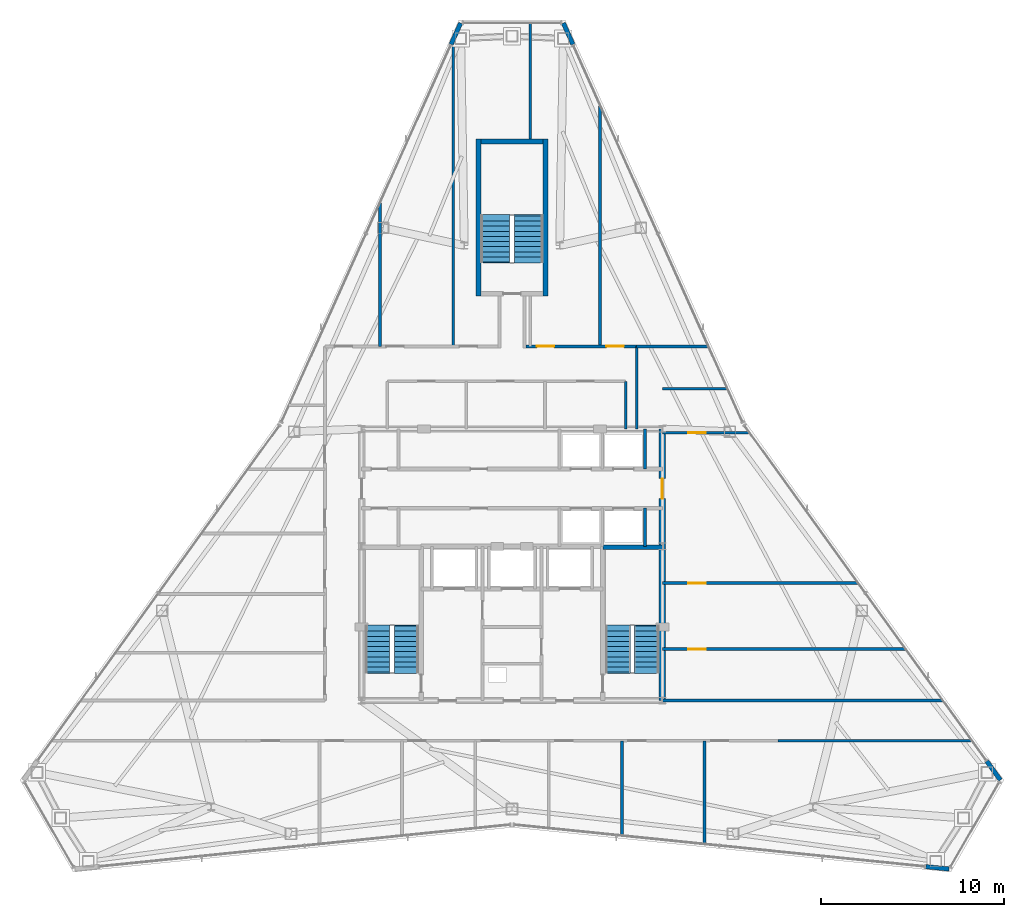
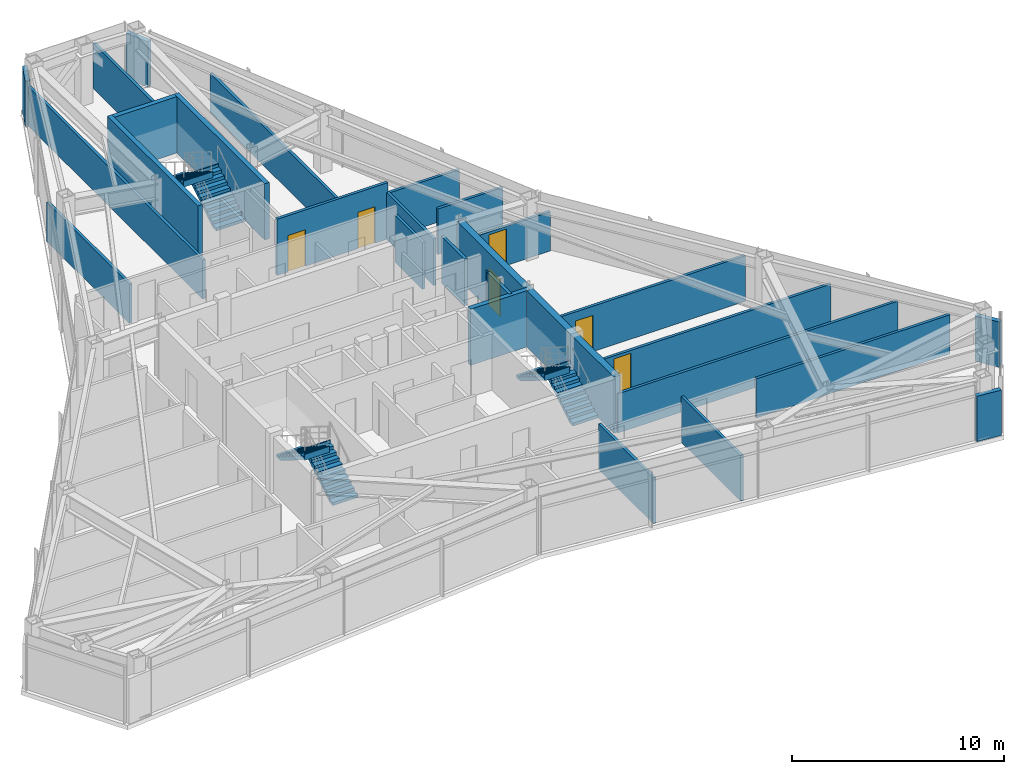
# One storey, part 11 of 12: 27 walls, 6 doors, 6 stair flights, 6 openings, 3 elements without a shape of their own.
"""IFC4 building model written with IfcOpenShell, lengths in metres."""

from ifc_helpers import new_model, si_unit, direction, frame, frame_2d, origin, place, context, subcontext, project, spatial, polyline, rectangle, outline, extrude, material, layer, layer_set, type_object, element, fill, aggregate, save


model = new_model("IFC4")

# Units and contexts
model_context = context("Model", 3, precision=1e-05, world=origin(), true_north=direction((0.0, 1.0)))
body_context = subcontext(model_context, "Body", "Model", "MODEL_VIEW")
ifc_project = project(units=[si_unit("LENGTHUNIT", "METRE"), si_unit("AREAUNIT", "SQUARE_METRE"), si_unit("VOLUMEUNIT", "CUBIC_METRE"), si_unit("PLANEANGLEUNIT", "RADIAN"), si_unit("MASSUNIT", "GRAM", prefix="KILO")], contexts=[model_context])

# Site, building, storey
site_placement = place(None, origin())
site = spatial("IfcSite", under=ifc_project, at=site_placement, CompositionType="ELEMENT")
building_placement = place(site_placement, origin())
building = spatial("IfcBuilding", under=site, at=building_placement, Name="Varakhsha Concourse Tower", CompositionType="ELEMENT")
storey_placement = place(building_placement, frame((0.0, 0.0, 262.0)))
storey = spatial("IfcBuildingStorey", under=building, at=storey_placement, Name="L74", CompositionType="ELEMENT", Elevation=262.0)

# Wall, opening, door
ifc_material_1 = material(Name="Concrete fc 65 MPa", Category="concrete")
ifc_layer_1 = layer(ifc_material_1, 0.35009765625, Name="WL-CORE-350")
ifc_layer_set_1 = layer_set([ifc_layer_1], Name="Concrete fc 65 MPa")
wall_type_1 = type_object("IfcWallType", Name="WL-CORE-350", PredefinedType="SHEAR", material=ifc_layer_set_1)
wall_1_placement = place(storey_placement, frame((48.199951171875, 16.39990234375, 0.0), z_axis=(0.0, 0.0, 1.0), x_axis=(0.0, 1.0, 0.0)))
wall_1 = element("IfcWall", 1, at=wall_1_placement, inside=storey, type_object=wall_type_1, Name="L74 Wall CWALL-E-L74", PredefinedType="SHEAR", context=body_context, shape_type="SweptSolid", body=[
    extrude(rectangle(XDim=14.800048828125, YDim=0.35009765625, at=frame_2d((7.39990234375, 0.0))), origin(), (0.0, 0.0, 1.0), 3.25),
])
opening_1_placement = place(wall_1_placement, frame((11.0, 0.0, 0.0)))
opening_1 = element("IfcOpeningElement", 2, at=opening_1_placement, cuts=wall_1, Name="Opening DL-01", PredefinedType="OPENING", context=body_context, shape_type="SweptSolid", body=[
    extrude(rectangle(XDim=1.10009765625, YDim=2.14990234375, at=frame_2d((0.550048828125, 1.074951171875))), frame((0.0, 0.18505859375, 0.0), z_axis=(0.0, -1.0, 0.0), x_axis=(1.0, 0.0, 0.0)), (0.0, 0.0, 1.0), 0.3701171875),
])
ifc_material_2 = material(Name="Anodised Bronze Architectural Aluminium AA 6063-T6", Category="aluminium")
door_type_1 = type_object("IfcDoorType", Name="DR-LOB-1100", OperationType="NOTDEFINED", PredefinedType="DOOR", material=ifc_material_2)
door_1_placement = place(opening_1_placement, origin())
door_1 = element("IfcDoor", 3, at=door_1_placement, inside=storey, type_object=door_type_1, Name="L74 Lift Lobby East Concourse Door", OperationType="SINGLE_SWING_RIGHT", OverallHeight=2.14990234375, OverallWidth=1.10009765625, PredefinedType="DOOR", context=body_context, shape_type="SweptSolid", body=[
    extrude(rectangle(XDim=1.10009765625, YDim=2.14990234375, at=frame_2d((0.550048828125, 1.074951171875))), frame((0.0, 0.02490234375, 0.0), z_axis=(0.0, -1.0, 0.0), x_axis=(1.0, 0.0, 0.0)), (0.0, 0.0, 1.0), 0.050048828125),
])
fill(opening_1, door_1)

# Walls
ifc_material_3 = material(Name="Concrete fc 45 MPa", Category="concrete")
ifc_layer_2 = layer(ifc_material_3, 0.239990234375, Name="WL-EXT-CRN-240")
ifc_layer_set_2 = layer_set([ifc_layer_2], Name="Concrete fc 45 MPa")
wall_type_2 = type_object("IfcWallType", Name="WL-EXT-CRN-240", PredefinedType="SHEAR", material=ifc_layer_set_2)
wall_2_placement = place(storey_placement, frame((37.19921875, 53.32763671875, 0.0), z_axis=(0.0, 0.0, 1.0), x_axis=(-0.409639238074, -0.912247605988, 0.0)))
element("IfcWall", 4, at=wall_2_placement, inside=storey, type_object=wall_type_2, Name="L74 Wind-Corner Shoulder Wall F2", PredefinedType="SHEAR", context=body_context, shape_type="SweptSolid", body=[
    extrude(rectangle(XDim=1.273681640625, YDim=0.239990234375, at=frame_2d((0.63671875, 0.0))), origin(), (0.0, 0.0, 1.0), 2.623046875),
])
wall_3_placement = place(storey_placement, frame((62.557861328125, 7.33984375, 0.0), z_axis=(0.0, 0.0, 1.0), x_axis=(0.994855080115, -0.10130828974, 0.0)))
element("IfcWall", 5, at=wall_3_placement, inside=storey, type_object=wall_type_2, Name="L74 Wind-Corner Shoulder Wall F6", PredefinedType="SHEAR", context=body_context, shape_type="SweptSolid", body=[
    extrude(rectangle(XDim=1.2724609375, YDim=0.239990234375, at=frame_2d((0.63623046875, 0.0))), origin(), (0.0, 0.0, 1.0), 2.623046875),
])
wall_4_placement = place(storey_placement, frame((66.62548828125, 12.061767578125, 0.0), z_axis=(0.0, 0.0, 1.0), x_axis=(-0.585112505524, 0.810952129216, 0.0)))
element("IfcWall", 6, at=wall_4_placement, inside=storey, type_object=wall_type_2, Name="L74 Wind-Corner Shoulder Wall F8", PredefinedType="SHEAR", context=body_context, shape_type="SweptSolid", body=[
    extrude(rectangle(XDim=1.2734375, YDim=0.239990234375, at=frame_2d((0.63671875, 0.0))), origin(), (0.0, 0.0, 1.0), 2.623046875),
])
wall_5_placement = place(storey_placement, frame((43.322509765625, 52.165771484375, 0.0), z_axis=(0.0, 0.0, 1.0), x_axis=(-0.409639238074, 0.912247605988, 0.0)))
element("IfcWall", 7, at=wall_5_placement, inside=storey, type_object=wall_type_2, Name="L74 Wind-Corner Shoulder Wall F9", PredefinedType="SHEAR", context=body_context, shape_type="SweptSolid", body=[
    extrude(rectangle(XDim=1.273681640625, YDim=0.239990234375, at=frame_2d((0.63671875, 0.0))), origin(), (0.0, 0.0, 1.0), 2.623046875),
])
ifc_material_4 = material(Name="Fire-Rated Type X Gypsum Partition Assembly", Category="gypsum")
ifc_layer_3 = layer(ifc_material_4, 0.14990234375, Name="WL-PART-150")
ifc_layer_set_3 = layer_set([ifc_layer_3], Name="Fire-Rated Type X Gypsum Partition Assembly")
wall_type_3 = type_object("IfcWallType", Name="WL-PART-150", PredefinedType="PARTITIONING", material=ifc_layer_set_3)
wall_6_placement = place(storey_placement, frame((46.199951171875, 31.199951171875, 0.0), z_axis=(0.0, 0.0, 1.0), x_axis=(0.0, 1.0, 0.0)))
element("IfcWall", 8, at=wall_6_placement, inside=storey, type_object=wall_type_3, Name="L74 Wall NBOH-E-L74", PredefinedType="PARTITIONING", context=body_context, shape_type="SweptSolid", body=[
    extrude(rectangle(XDim=2.60009765625, YDim=0.14990234375, at=frame_2d((1.300048828125, 0.0))), origin(), (0.0, 0.0, 1.0), 2.705078125),
])
wall_7_placement = place(storey_placement, frame((54.5, 14.199951171875, 0.0), z_axis=(0.0, 0.0, 1.0), x_axis=(1.0, 0.0, 0.0)))
element("IfcWall", 9, at=wall_7_placement, inside=storey, type_object=wall_type_3, Name="L74 Wall CRW-SGAL-SE-L74", PredefinedType="PARTITIONING", context=body_context, shape_type="SweptSolid", body=[
    extrude(rectangle(XDim=10.576416015625, YDim=0.14990234375, at=frame_2d((5.2880859375, 0.0))), origin(), (0.0, 0.0, 1.0), 2.264892578125),
])
wall_8_placement = place(storey_placement, frame((48.199951171875, 16.39990234375, 0.0), z_axis=(0.0, 0.0, 1.0), x_axis=(1.0, 0.0, 0.0)))
element("IfcWall", 10, at=wall_8_placement, inside=storey, type_object=wall_type_3, Name="L74 Wall CRW-SGAL-NE-L74", PredefinedType="PARTITIONING", context=body_context, shape_type="SweptSolid", body=[
    extrude(rectangle(XDim=15.28857421875, YDim=0.14990234375, at=frame_2d((7.644287109375, 0.0))), origin(), (0.0, 0.0, 1.0), 2.264892578125),
])

# Wall, openings, doors
wall_9_placement = place(storey_placement, frame((40.75, 35.699951171875, 0.0), z_axis=(0.0, 0.0, 1.0), x_axis=(1.0, 0.0, 0.0)))
wall_9 = element("IfcWall", 11, at=wall_9_placement, inside=storey, type_object=wall_type_3, Name="L74 Wall CRW-N-L74-B", PredefinedType="PARTITIONING", context=body_context, shape_type="SweptSolid", body=[
    extrude(rectangle(XDim=6.050048828125, YDim=0.14990234375, at=frame_2d((3.02490234375, 0.0))), origin(), (0.0, 0.0, 1.0), 3.25),
])
opening_2_placement = place(wall_9_placement, frame((0.60009765625, 0.0, 0.0)))
opening_2 = element("IfcOpeningElement", 12, at=opening_2_placement, cuts=wall_9, Name="Opening DF-05", PredefinedType="OPENING", context=body_context, shape_type="SweptSolid", body=[
    extrude(rectangle(XDim=0.949951171875, YDim=2.10009765625, at=frame_2d((0.47509765625, 1.050048828125))), frame((0.0, 0.0849609375, 0.0), z_axis=(0.0, -1.0, 0.0), x_axis=(1.0, 0.0, 0.0)), (0.0, 0.0, 1.0), 0.169921875),
])
opening_3_placement = place(wall_9_placement, frame((4.39990234375, 0.0, 0.0)))
opening_3 = element("IfcOpeningElement", 13, at=opening_3_placement, cuts=wall_9, Name="Opening DF-05", PredefinedType="OPENING", context=body_context, shape_type="SweptSolid", body=[
    extrude(rectangle(XDim=0.949951171875, YDim=2.10009765625, at=frame_2d((0.47509765625, 1.050048828125))), frame((0.0, 0.0849609375, 0.0), z_axis=(0.0, -1.0, 0.0), x_axis=(1.0, 0.0, 0.0)), (0.0, 0.0, 1.0), 0.169921875),
])
ifc_material_5 = material(Name="Hollow Galvanised Steel Fire Door Assembly", Category="steel")
door_type_2 = type_object("IfcDoorType", Name="DR-FD60-950", OperationType="NOTDEFINED", PredefinedType="DOOR", material=ifc_material_5)
door_2_placement = place(opening_2_placement, origin())
door_2 = element("IfcDoor", 14, at=door_2_placement, inside=storey, type_object=door_type_2, Name="L74 North Dry R&D Design Lab L74-N4 Door", OperationType="SINGLE_SWING_RIGHT", OverallHeight=2.10009765625, OverallWidth=0.949951171875, PredefinedType="DOOR", context=body_context, shape_type="SweptSolid", body=[
    extrude(rectangle(XDim=0.949951171875, YDim=2.10009765625, at=frame_2d((0.47509765625, 1.050048828125))), frame((0.0, 0.02490234375, 0.0), z_axis=(0.0, -1.0, 0.0), x_axis=(1.0, 0.0, 0.0)), (0.0, 0.0, 1.0), 0.050048828125),
])
fill(opening_2, door_2)
door_3_placement = place(opening_3_placement, origin())
door_3 = element("IfcDoor", 15, at=door_3_placement, inside=storey, type_object=door_type_2, Name="L74 North Dry R&D Design Lab L74-N5 Door", OperationType="SINGLE_SWING_LEFT", OverallHeight=2.10009765625, OverallWidth=0.949951171875, PredefinedType="DOOR", context=body_context, shape_type="SweptSolid", body=[
    extrude(rectangle(XDim=0.949951171875, YDim=2.10009765625, at=frame_2d((0.47509765625, 1.050048828125))), frame((0.0, 0.02490234375, 0.0), z_axis=(0.0, -1.0, 0.0), x_axis=(1.0, 0.0, 0.0)), (0.0, 0.0, 1.0), 0.050048828125),
])
fill(opening_3, door_3)

# Walls
wall_10_placement = place(storey_placement, frame((46.800048828125, 31.199951171875, 0.0), z_axis=(0.0, 0.0, 1.0), x_axis=(0.0, 1.0, 0.0)))
element("IfcWall", 16, at=wall_10_placement, inside=storey, type_object=wall_type_3, Name="L74 Wall CRW-NE-L74", PredefinedType="PARTITIONING", context=body_context, shape_type="SweptSolid", body=[
    extrude(rectangle(XDim=4.5, YDim=0.14990234375, at=frame_2d((2.25, 0.0))), origin(), (0.0, 0.0, 1.0), 2.705078125),
])
wall_11_placement = place(storey_placement, frame((46.0, 9.031494140625, 0.0), z_axis=(0.0, 0.0, 1.0), x_axis=(0.0, 1.0, 0.0)))
element("IfcWall", 17, at=wall_11_placement, inside=storey, type_object=wall_type_3, Name="L74 Wall ODIV-S5-L74", PredefinedType="PARTITIONING", context=body_context, shape_type="SweptSolid", body=[
    extrude(rectangle(XDim=5.16845703125, YDim=0.14990234375, at=frame_2d((2.584228515625, 0.0))), origin(), (0.0, 0.0, 1.0), 2.6279296875),
])
wall_12_placement = place(storey_placement, frame((50.5, 8.572998046875, 0.0), z_axis=(0.0, 0.0, 1.0), x_axis=(0.0, 1.0, 0.0)))
element("IfcWall", 18, at=wall_12_placement, inside=storey, type_object=wall_type_3, Name="L74 Wall ODIV-S6-L74", PredefinedType="PARTITIONING", context=body_context, shape_type="SweptSolid", body=[
    extrude(rectangle(XDim=5.626953125, YDim=0.14990234375, at=frame_2d((2.8134765625, 0.0))), origin(), (0.0, 0.0, 1.0), 2.6279296875),
])
wall_13_placement = place(storey_placement, frame((46.800048828125, 35.699951171875, 0.0), z_axis=(0.0, 0.0, 1.0), x_axis=(1.0, 0.0, 0.0)))
element("IfcWall", 19, at=wall_13_placement, inside=storey, type_object=wall_type_3, Name="L74 Wall ODIV-EBN-L74", PredefinedType="PARTITIONING", context=body_context, shape_type="SweptSolid", body=[
    extrude(rectangle(XDim=3.911376953125, YDim=0.14990234375, at=frame_2d((1.95556640625, 0.0))), origin(), (0.0, 0.0, 1.0), 2.6279296875),
])

# Wall, opening, door
wall_14_placement = place(storey_placement, frame((48.199951171875, 19.199951171875, 0.0), z_axis=(0.0, 0.0, 1.0), x_axis=(1.0, 0.0, 0.0)))
wall_14 = element("IfcWall", 20, at=wall_14_placement, inside=storey, type_object=wall_type_3, Name="L74 Wall ODIV-E1-L74", PredefinedType="PARTITIONING", context=body_context, shape_type="SweptSolid", body=[
    extrude(rectangle(XDim=13.26806640625, YDim=0.14990234375, at=frame_2d((6.634033203125, 0.0))), origin(), (0.0, 0.0, 1.0), 2.264892578125),
])
opening_4_placement = place(wall_14_placement, frame((1.39990234375, 0.0, 0.0)))
opening_4 = element("IfcOpeningElement", 21, at=opening_4_placement, cuts=wall_14, Name="Opening DF-05", PredefinedType="OPENING", context=body_context, shape_type="SweptSolid", body=[
    extrude(rectangle(XDim=0.949951171875, YDim=2.10009765625, at=frame_2d((0.47509765625, 1.050048828125))), frame((0.0, 0.0849609375, 0.0), z_axis=(0.0, -1.0, 0.0), x_axis=(1.0, 0.0, 0.0)), (0.0, 0.0, 1.0), 0.169921875),
])
door_4_placement = place(opening_4_placement, origin())
door_4 = element("IfcDoor", 22, at=door_4_placement, inside=storey, type_object=door_type_2, Name="L74 East Suite Interconnect Door 1", OperationType="SINGLE_SWING_LEFT", OverallHeight=2.10009765625, OverallWidth=0.949951171875, PredefinedType="DOOR", context=body_context, shape_type="SweptSolid", body=[
    extrude(rectangle(XDim=0.949951171875, YDim=2.10009765625, at=frame_2d((0.47509765625, 1.050048828125))), frame((0.0, 0.02490234375, 0.0), z_axis=(0.0, -1.0, 0.0), x_axis=(1.0, 0.0, 0.0)), (0.0, 0.0, 1.0), 0.050048828125),
])
fill(opening_4, door_4)

wall_15_placement = place(storey_placement, frame((48.199951171875, 22.800048828125, 0.0), z_axis=(0.0, 0.0, 1.0), x_axis=(1.0, 0.0, 0.0)))
wall_15 = element("IfcWall", 23, at=wall_15_placement, inside=storey, type_object=wall_type_3, Name="L74 Wall ODIV-E2-L74", PredefinedType="PARTITIONING", context=body_context, shape_type="SweptSolid", body=[
    extrude(rectangle(XDim=10.670166015625, YDim=0.14990234375, at=frame_2d((5.3349609375, 0.0))), origin(), (0.0, 0.0, 1.0), 2.6279296875),
])
opening_5_placement = place(wall_15_placement, frame((1.39990234375, 0.0, 0.0)))
opening_5 = element("IfcOpeningElement", 24, at=opening_5_placement, cuts=wall_15, Name="Opening DF-05", PredefinedType="OPENING", context=body_context, shape_type="SweptSolid", body=[
    extrude(rectangle(XDim=0.949951171875, YDim=2.10009765625, at=frame_2d((0.47509765625, 1.050048828125))), frame((0.0, 0.0849609375, 0.0), z_axis=(0.0, -1.0, 0.0), x_axis=(1.0, 0.0, 0.0)), (0.0, 0.0, 1.0), 0.169921875),
])
door_5_placement = place(opening_5_placement, origin())
door_5 = element("IfcDoor", 25, at=door_5_placement, inside=storey, type_object=door_type_2, Name="L74 East Suite Interconnect Door 2", OperationType="SINGLE_SWING_RIGHT", OverallHeight=2.10009765625, OverallWidth=0.949951171875, PredefinedType="DOOR", context=body_context, shape_type="SweptSolid", body=[
    extrude(rectangle(XDim=0.949951171875, YDim=2.10009765625, at=frame_2d((0.47509765625, 1.050048828125))), frame((0.0, 0.02490234375, 0.0), z_axis=(0.0, -1.0, 0.0), x_axis=(1.0, 0.0, 0.0)), (0.0, 0.0, 1.0), 0.050048828125),
])
fill(opening_5, door_5)

wall_16_placement = place(storey_placement, frame((48.199951171875, 31.0, 0.0), z_axis=(0.0, 0.0, 1.0), x_axis=(1.0, 0.0, 0.0)))
wall_16 = element("IfcWall", 26, at=wall_16_placement, inside=storey, type_object=wall_type_3, Name="L74 Wall ODIV-E3-L74", PredefinedType="PARTITIONING", context=body_context, shape_type="SweptSolid", body=[
    extrude(rectangle(XDim=4.75244140625, YDim=0.14990234375, at=frame_2d((2.376220703125, 0.0))), origin(), (0.0, 0.0, 1.0), 2.264892578125),
])
opening_6_placement = place(wall_16_placement, frame((1.39990234375, 0.0, 0.0)))
opening_6 = element("IfcOpeningElement", 27, at=opening_6_placement, cuts=wall_16, Name="Opening DF-05", PredefinedType="OPENING", context=body_context, shape_type="SweptSolid", body=[
    extrude(rectangle(XDim=0.949951171875, YDim=2.10009765625, at=frame_2d((0.47509765625, 1.050048828125))), frame((0.0, 0.0849609375, 0.0), z_axis=(0.0, -1.0, 0.0), x_axis=(1.0, 0.0, 0.0)), (0.0, 0.0, 1.0), 0.169921875),
])
door_6_placement = place(opening_6_placement, origin())
door_6 = element("IfcDoor", 28, at=door_6_placement, inside=storey, type_object=door_type_2, Name="L74 East Suite Interconnect Door 3", OperationType="SINGLE_SWING_LEFT", OverallHeight=2.10009765625, OverallWidth=0.949951171875, PredefinedType="DOOR", context=body_context, shape_type="SweptSolid", body=[
    extrude(rectangle(XDim=0.949951171875, YDim=2.10009765625, at=frame_2d((0.47509765625, 1.050048828125))), frame((0.0, 0.02490234375, 0.0), z_axis=(0.0, -1.0, 0.0), x_axis=(1.0, 0.0, 0.0)), (0.0, 0.0, 1.0), 0.050048828125),
])
fill(opening_6, door_6)

# Walls
wall_17_placement = place(storey_placement, frame((48.199951171875, 33.39990234375, 0.0), z_axis=(0.0, 0.0, 1.0), x_axis=(1.0, 0.0, 0.0)))
element("IfcWall", 29, at=wall_17_placement, inside=storey, type_object=wall_type_3, Name="L74 Wall ODIV-E4-L74", PredefinedType="PARTITIONING", context=body_context, shape_type="SweptSolid", body=[
    extrude(rectangle(XDim=3.544189453125, YDim=0.14990234375, at=frame_2d((1.77197265625, 0.0))), origin(), (0.0, 0.0, 1.0), 2.6279296875),
])
wall_18_placement = place(storey_placement, frame((32.800048828125, 35.699951171875, 0.0), z_axis=(0.0, 0.0, 1.0), x_axis=(0.0, 1.0, 0.0)))
element("IfcWall", 30, at=wall_18_placement, inside=storey, type_object=wall_type_3, Name="L74 Wall ODIV-N1-L74", PredefinedType="PARTITIONING", context=body_context, shape_type="SweptSolid", body=[
    extrude(rectangle(XDim=7.819091796875, YDim=0.14990234375, at=frame_2d((3.90966796875, 0.0))), origin(), (0.0, 0.0, 1.0), 2.264892578125),
])
wall_19_placement = place(storey_placement, frame((36.800048828125, 35.699951171875, 0.0), z_axis=(0.0, 0.0, 1.0), x_axis=(0.0, 1.0, 0.0)))
element("IfcWall", 31, at=wall_19_placement, inside=storey, type_object=wall_type_3, Name="L74 Wall ODIV-N2-L74", PredefinedType="PARTITIONING", context=body_context, shape_type="SweptSolid", body=[
    extrude(rectangle(XDim=16.726318359375, YDim=0.14990234375, at=frame_2d((8.36328125, 0.0))), origin(), (0.0, 0.0, 1.0), 2.264892578125),
])
wall_20_placement = place(storey_placement, frame((41.0, 47.0, 0.0), z_axis=(0.0, 0.0, 1.0), x_axis=(0.0, 1.0, 0.0)))
element("IfcWall", 32, at=wall_20_placement, inside=storey, type_object=wall_type_3, Name="L74 Wall ODIV-N3-L74-B", PredefinedType="PARTITIONING", context=body_context, shape_type="SweptSolid", body=[
    extrude(rectangle(XDim=6.33203125, YDim=0.14990234375, at=frame_2d((3.166015625, 0.0))), origin(), (0.0, 0.0, 1.0), 2.6279296875),
])
wall_21_placement = place(storey_placement, frame((44.800048828125, 35.699951171875, 0.0), z_axis=(0.0, 0.0, 1.0), x_axis=(0.0, 1.0, 0.0)))
element("IfcWall", 33, at=wall_21_placement, inside=storey, type_object=wall_type_3, Name="L74 Wall ODIV-N4-L74", PredefinedType="PARTITIONING", context=body_context, shape_type="SweptSolid", body=[
    extrude(rectangle(XDim=13.163330078125, YDim=0.14990234375, at=frame_2d((6.58154296875, 0.0))), origin(), (0.0, 0.0, 1.0), 2.264892578125),
])
ifc_layer_4 = layer(ifc_material_4, 0.199951171875, Name="WL-SHAFT-220")
ifc_layer_set_4 = layer_set([ifc_layer_4], Name="Fire-Rated Type X Gypsum Partition Assembly")
wall_type_4 = type_object("IfcWallType", Name="WL-SHAFT-220", PredefinedType="SOLIDWALL", material=ifc_layer_set_4)
wall_22_placement = place(storey_placement, frame((47.239990234375, 29.02001953125, 0.0), z_axis=(0.0, 0.0, 1.0), x_axis=(0.0, 1.0, 0.0)))
element("IfcWall", 34, at=wall_22_placement, inside=storey, type_object=wall_type_4, Name="L74 Wall SHW-LF-P10-E-L74", PredefinedType="SOLIDWALL", context=body_context, shape_type="SweptSolid", body=[
    extrude(rectangle(XDim=2.179931640625, YDim=0.159912109375, at=frame_2d((1.08984375, 0.0))), origin(), (0.0, 0.0, 1.0), 2.705078125),
])
wall_23_placement = place(storey_placement, frame((47.239990234375, 24.800048828125, 0.0), z_axis=(0.0, 0.0, 1.0), x_axis=(0.0, 1.0, 0.0)))
element("IfcWall", 35, at=wall_23_placement, inside=storey, type_object=wall_type_4, Name="L74 Wall SHW-LF-P12-E-L74", PredefinedType="SOLIDWALL", context=body_context, shape_type="SweptSolid", body=[
    extrude(rectangle(XDim=2.079833984375, YDim=0.159912109375, at=frame_2d((1.0400390625, 0.0))), origin(), (0.0, 0.0, 1.0), 3.25),
])
ifc_layer_5 = layer(ifc_material_3, 0.25, Name="WL-STAIR-250")
ifc_layer_set_5 = layer_set([ifc_layer_5], Name="Concrete fc 45 MPa")
wall_type_5 = type_object("IfcWallType", Name="WL-STAIR-250", PredefinedType="SHEAR", material=ifc_layer_set_5)
wall_24_placement = place(storey_placement, frame((44.955078125, 24.7548828125, 0.0), z_axis=(0.0, 0.0, 1.0), x_axis=(1.0, 0.0, 0.0)))
element("IfcWall", 36, at=wall_24_placement, inside=storey, type_object=wall_type_5, Name="L74 Wall SWALL-ST2-N-L74", PredefinedType="SHEAR", context=body_context, shape_type="SweptSolid", body=[
    extrude(rectangle(XDim=3.244873046875, YDim=0.25, at=frame_2d((1.62255859375, 0.0))), origin(), (0.0, 0.0, 1.0), 3.25),
])
for number, where, z_axis, x_axis, name in (
    (37, (38.175048828125, 38.449951171875, 0.0), (0.0, 0.0, 1.0), (0.0, 1.0, 0.0), "L74 Wall SWALL-ST5-W-L74"),
    (38, (41.824951171875, 38.449951171875, 0.0), (0.0, 0.0, 1.0), (0.0, 1.0, 0.0), "L74 Wall SWALL-ST5-E-L74"),
):
    element("IfcWall", number, at=place(storey_placement, frame(where, z_axis=z_axis, x_axis=x_axis)), inside=storey, type_object=wall_type_5, Name=name, PredefinedType="SHEAR", context=body_context, shape_type="SweptSolid", body=[
        extrude(rectangle(XDim=8.550048828125, YDim=0.25, at=frame_2d((4.27490234375, 0.0))), origin(), (0.0, 0.0, 1.0), 3.25),
    ])
wall_25_placement = place(storey_placement, frame((38.300048828125, 46.875, 0.0), z_axis=(0.0, 0.0, 1.0), x_axis=(1.0, 0.0, 0.0)))
element("IfcWall", 39, at=wall_25_placement, inside=storey, type_object=wall_type_5, Name="L74 Wall SWALL-ST5-N-L74", PredefinedType="SHEAR", context=body_context, shape_type="SweptSolid", body=[
    extrude(rectangle(XDim=3.39990234375, YDim=0.25, at=frame_2d((1.699951171875, 0.0))), origin(), (0.0, 0.0, 1.0), 3.25),
])

# Stair, stair flights
stair_type_1 = type_object("IfcStairType", Name="ST-DOGLEG-1360", PredefinedType="HALF_TURN_STAIR", material=ifc_material_3)
stair_1_placement = place(storey_placement, origin())
stair_1 = element("IfcStair", 40, at=stair_1_placement, inside=storey, type_object=stair_type_1, Name="L74 Protected Exit Stair ST1", PredefinedType="HALF_TURN_STAIR")
stair_flight_type_1 = type_object("IfcStairFlightType", Name="STF-1360-R1750", PredefinedType="STRAIGHT", material=ifc_material_3)
stair_flight_1_placement = place(storey_placement, frame((34.239990234375, 17.93994140625, 0.0), z_axis=(0.0, 0.0, 1.0), x_axis=(0.0, 1.0, 0.0)))
stair_flight_1 = element("IfcStairFlight", 41, at=stair_flight_1_placement, type_object=stair_flight_type_1, Name="ST1 flight 1", NumberOfRisers=10, NumberOfTreads=9, PredefinedType="STRAIGHT", RiserHeight=0.175, TreadLength=0.28, context=body_context, shape_type="SweptSolid", body=[
    extrude(outline(polyline([(-0.06005859375, 0.0), (-0.06005859375, 0.175048828125), (0.0, 0.175048828125), (0.280029296875, 0.175048828125), (0.280029296875, 0.35009765625), (0.56005859375, 0.35009765625), (0.56005859375, 0.52490234375), (0.840087890625, 0.52490234375), (0.840087890625, 0.699951171875), (1.1201171875, 0.699951171875), (1.1201171875, 0.875), (1.39990234375, 0.875), (1.39990234375, 1.050048828125), (1.679931640625, 1.050048828125), (1.679931640625, 1.22509765625), (1.9599609375, 1.22509765625), (1.9599609375, 1.39990234375), (2.239990234375, 1.39990234375), (2.239990234375, 1.574951171875), (2.52001953125, 1.574951171875), (2.52001953125, 1.75), (2.580078125, 1.75), (2.580078125, 1.398193359375), (2.52001953125, 1.398193359375), (0.28271484375, 0.0), (-0.06005859375, 0.0)])), frame((0.0, 0.68017578125, 0.0), z_axis=(0.0, -1.0, 0.0), x_axis=(1.0, 0.0, 0.0)), (0.0, 0.0, 1.0), 1.360107421875),
])
stair_flight_2_placement = place(storey_placement, frame((32.679931640625, 20.4599609375, 1.75), z_axis=(0.0, 0.0, 1.0), x_axis=(0.0, -1.0, 0.0)))
stair_flight_2 = element("IfcStairFlight", 42, at=stair_flight_2_placement, type_object=stair_flight_type_1, Name="ST1 flight 2", NumberOfRisers=10, NumberOfTreads=9, PredefinedType="STRAIGHT", RiserHeight=0.175, TreadLength=0.28, context=body_context, shape_type="SweptSolid", body=[
    extrude(outline(polyline([(-0.06005859375, 0.0), (-0.06005859375, 0.175048828125), (0.0, 0.175048828125), (0.280029296875, 0.175048828125), (0.280029296875, 0.35009765625), (0.56005859375, 0.35009765625), (0.56005859375, 0.52490234375), (0.840087890625, 0.52490234375), (0.840087890625, 0.699951171875), (1.1201171875, 0.699951171875), (1.1201171875, 0.875), (1.39990234375, 0.875), (1.39990234375, 1.050048828125), (1.679931640625, 1.050048828125), (1.679931640625, 1.22509765625), (1.9599609375, 1.22509765625), (1.9599609375, 1.39990234375), (2.239990234375, 1.39990234375), (2.239990234375, 1.574951171875), (2.52001953125, 1.574951171875), (2.52001953125, 1.75), (2.580078125, 1.75), (2.580078125, 1.398193359375), (2.52001953125, 1.398193359375), (0.28271484375, 0.0), (-0.06005859375, 0.0)])), frame((0.0, 0.68017578125, 0.0), z_axis=(0.0, -1.0, 0.0), x_axis=(1.0, 0.0, 0.0)), (0.0, 0.0, 1.0), 1.360107421875),
])
aggregate(stair_1, [stair_flight_1, stair_flight_2])

stair_2_placement = place(storey_placement, origin())
stair_2 = element("IfcStair", 43, at=stair_2_placement, inside=storey, type_object=stair_type_1, Name="L74 Protected Exit Stair ST2", PredefinedType="HALF_TURN_STAIR")
stair_flight_3_placement = place(storey_placement, frame((47.340087890625, 17.93994140625, 0.0), z_axis=(0.0, 0.0, 1.0), x_axis=(0.0, 1.0, 0.0)))
stair_flight_3 = element("IfcStairFlight", 44, at=stair_flight_3_placement, type_object=stair_flight_type_1, Name="ST2 flight 1", NumberOfRisers=10, NumberOfTreads=9, PredefinedType="STRAIGHT", RiserHeight=0.175, TreadLength=0.28, context=body_context, shape_type="SweptSolid", body=[
    extrude(outline(polyline([(-0.06005859375, 0.0), (-0.06005859375, 0.175048828125), (0.0, 0.175048828125), (0.280029296875, 0.175048828125), (0.280029296875, 0.35009765625), (0.56005859375, 0.35009765625), (0.56005859375, 0.52490234375), (0.840087890625, 0.52490234375), (0.840087890625, 0.699951171875), (1.1201171875, 0.699951171875), (1.1201171875, 0.875), (1.39990234375, 0.875), (1.39990234375, 1.050048828125), (1.679931640625, 1.050048828125), (1.679931640625, 1.22509765625), (1.9599609375, 1.22509765625), (1.9599609375, 1.39990234375), (2.239990234375, 1.39990234375), (2.239990234375, 1.574951171875), (2.52001953125, 1.574951171875), (2.52001953125, 1.75), (2.580078125, 1.75), (2.580078125, 1.398193359375), (2.52001953125, 1.398193359375), (0.28271484375, 0.0), (-0.06005859375, 0.0)])), frame((0.0, 0.68017578125, 0.0), z_axis=(0.0, -1.0, 0.0), x_axis=(1.0, 0.0, 0.0)), (0.0, 0.0, 1.0), 1.360107421875),
])
stair_flight_4_placement = place(storey_placement, frame((45.780029296875, 20.4599609375, 1.75), z_axis=(0.0, 0.0, 1.0), x_axis=(0.0, -1.0, 0.0)))
stair_flight_4 = element("IfcStairFlight", 45, at=stair_flight_4_placement, type_object=stair_flight_type_1, Name="ST2 flight 2", NumberOfRisers=10, NumberOfTreads=9, PredefinedType="STRAIGHT", RiserHeight=0.175, TreadLength=0.28, context=body_context, shape_type="SweptSolid", body=[
    extrude(outline(polyline([(-0.06005859375, 0.0), (-0.06005859375, 0.175048828125), (0.0, 0.175048828125), (0.280029296875, 0.175048828125), (0.280029296875, 0.35009765625), (0.56005859375, 0.35009765625), (0.56005859375, 0.52490234375), (0.840087890625, 0.52490234375), (0.840087890625, 0.699951171875), (1.1201171875, 0.699951171875), (1.1201171875, 0.875), (1.39990234375, 0.875), (1.39990234375, 1.050048828125), (1.679931640625, 1.050048828125), (1.679931640625, 1.22509765625), (1.9599609375, 1.22509765625), (1.9599609375, 1.39990234375), (2.239990234375, 1.39990234375), (2.239990234375, 1.574951171875), (2.52001953125, 1.574951171875), (2.52001953125, 1.75), (2.580078125, 1.75), (2.580078125, 1.398193359375), (2.52001953125, 1.398193359375), (0.28271484375, 0.0), (-0.06005859375, 0.0)])), frame((0.0, 0.68017578125, 0.0), z_axis=(0.0, -1.0, 0.0), x_axis=(1.0, 0.0, 0.0)), (0.0, 0.0, 1.0), 1.360107421875),
])
aggregate(stair_2, [stair_flight_3, stair_flight_4])

stair_type_2 = type_object("IfcStairType", Name="ST-DOGLEG-1600", PredefinedType="HALF_TURN_STAIR", material=ifc_material_3)
stair_3_placement = place(storey_placement, origin())
stair_3 = element("IfcStair", 46, at=stair_3_placement, inside=storey, type_object=stair_type_2, Name="L74 Protected Exit Stair ST5", PredefinedType="HALF_TURN_STAIR")
stair_flight_type_2 = type_object("IfcStairFlightType", Name="STF-1600-R1750", PredefinedType="STRAIGHT", material=ifc_material_3)
stair_flight_5_placement = place(storey_placement, frame((40.89990234375, 40.300048828125, 0.0), z_axis=(0.0, 0.0, 1.0), x_axis=(0.0, 1.0, 0.0)))
stair_flight_5 = element("IfcStairFlight", 47, at=stair_flight_5_placement, type_object=stair_flight_type_2, Name="ST5 flight 1", NumberOfRisers=10, NumberOfTreads=9, PredefinedType="STRAIGHT", RiserHeight=0.175, TreadLength=0.28, context=body_context, shape_type="SweptSolid", body=[
    extrude(outline(polyline([(-0.06005859375, 0.0), (-0.06005859375, 0.175048828125), (0.0, 0.175048828125), (0.280029296875, 0.175048828125), (0.280029296875, 0.35009765625), (0.56005859375, 0.35009765625), (0.56005859375, 0.52490234375), (0.840087890625, 0.52490234375), (0.840087890625, 0.699951171875), (1.1201171875, 0.699951171875), (1.1201171875, 0.875), (1.39990234375, 0.875), (1.39990234375, 1.050048828125), (1.679931640625, 1.050048828125), (1.679931640625, 1.22509765625), (1.9599609375, 1.22509765625), (1.9599609375, 1.39990234375), (2.239990234375, 1.39990234375), (2.239990234375, 1.574951171875), (2.52001953125, 1.574951171875), (2.52001953125, 1.75), (2.580078125, 1.75), (2.580078125, 1.398193359375), (2.52001953125, 1.398193359375), (0.28271484375, 0.0), (-0.06005859375, 0.0)])), frame((0.0, 0.800048828125, 0.0), z_axis=(0.0, -1.0, 0.0), x_axis=(1.0, 0.0, 0.0)), (0.0, 0.0, 1.0), 1.60009765625),
])
stair_flight_6_placement = place(storey_placement, frame((39.10009765625, 42.820068359375, 1.75), z_axis=(0.0, 0.0, 1.0), x_axis=(0.0, -1.0, 0.0)))
stair_flight_6 = element("IfcStairFlight", 48, at=stair_flight_6_placement, type_object=stair_flight_type_2, Name="ST5 flight 2", NumberOfRisers=10, NumberOfTreads=9, PredefinedType="STRAIGHT", RiserHeight=0.175, TreadLength=0.28, context=body_context, shape_type="SweptSolid", body=[
    extrude(outline(polyline([(-0.06005859375, 0.0), (-0.06005859375, 0.175048828125), (0.0, 0.175048828125), (0.280029296875, 0.175048828125), (0.280029296875, 0.35009765625), (0.56005859375, 0.35009765625), (0.56005859375, 0.52490234375), (0.840087890625, 0.52490234375), (0.840087890625, 0.699951171875), (1.1201171875, 0.699951171875), (1.1201171875, 0.875), (1.39990234375, 0.875), (1.39990234375, 1.050048828125), (1.679931640625, 1.050048828125), (1.679931640625, 1.22509765625), (1.9599609375, 1.22509765625), (1.9599609375, 1.39990234375), (2.239990234375, 1.39990234375), (2.239990234375, 1.574951171875), (2.52001953125, 1.574951171875), (2.52001953125, 1.75), (2.580078125, 1.75), (2.580078125, 1.398193359375), (2.52001953125, 1.398193359375), (0.28271484375, 0.0), (-0.06005859375, 0.0)])), frame((0.0, 0.800048828125, 0.0), z_axis=(0.0, -1.0, 0.0), x_axis=(1.0, 0.0, 0.0)), (0.0, 0.0, 1.0), 1.60009765625),
])
aggregate(stair_3, [stair_flight_5, stair_flight_6])

save(model, "model.ifc")
